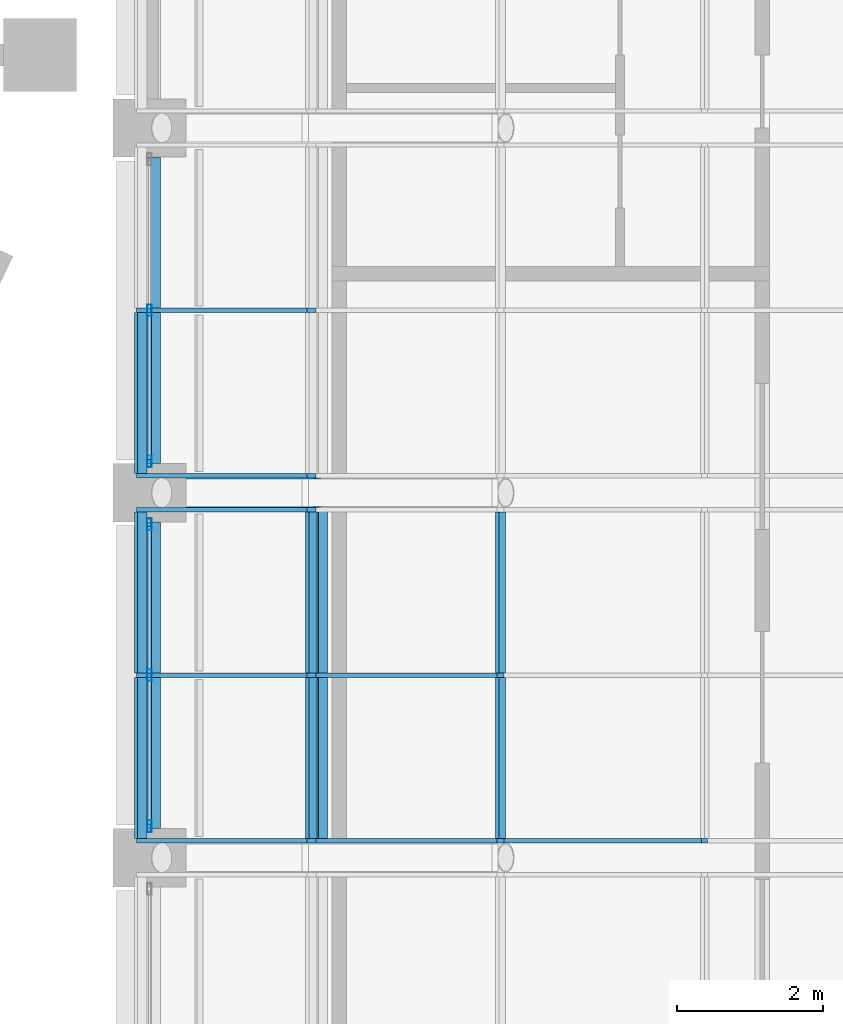
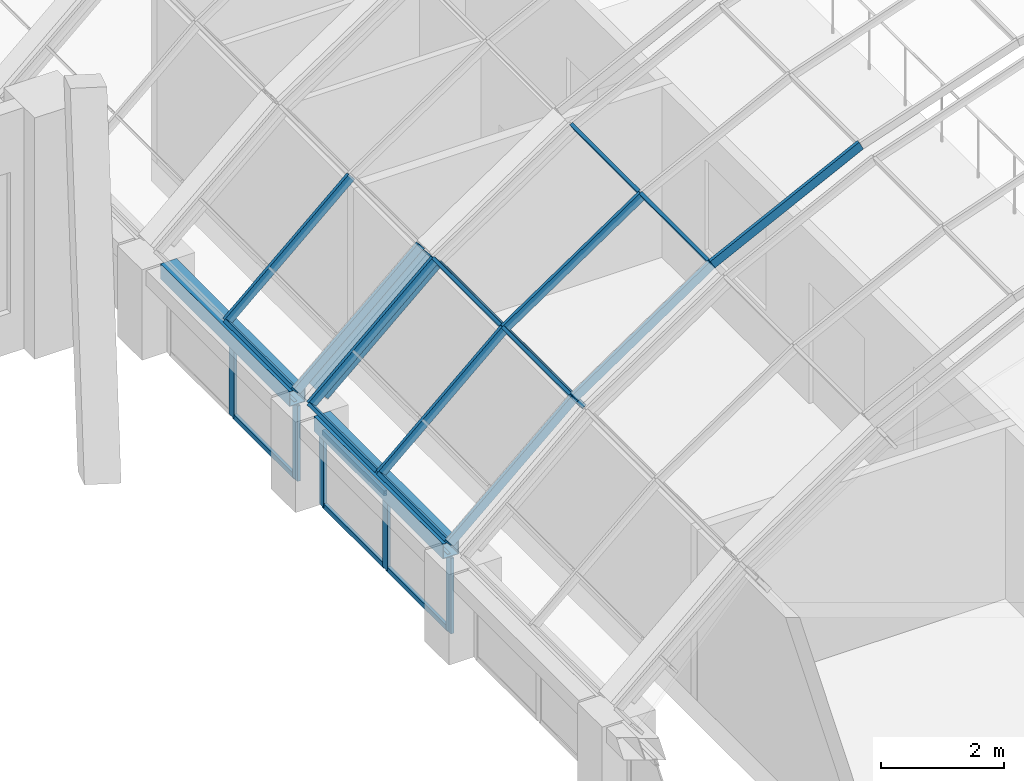
# One storey, part 48 of 182: 28 members, 2 beams, 4 elements without a shape of their own.
"""IFC4 building model written with IfcOpenShell, lengths in metres."""

import ifcopenshell
import ifcopenshell.guid

model = None  # the IFC model being written
_history = None  # IfcOwnerHistory: only IFC2X3 demands one
_inside = {}  # id of a spatial element -> (the spatial element, [elements in it])
_under = {}  # id of a project, library or spatial element -> (it, [spatial elements below it])
_declared = {}  # id of a project -> (the project, [libraries it declares])
_typed = {}  # id of a type object -> (the type object, [elements of that type])
_made_of = {}  # id of a material, layer set ... -> (it, [elements and type objects made of it])


def new_model(schema):
    """Start an empty IFC model of exactly this schema.

    Asked for "IFC4X3", IfcOpenShell would pick the latest addendum, in which some entities
    have other attributes; the version numbers below select the first issue.
    IFC2X3 requires an IfcOwnerHistory on every rooted entity: one is made here for all.
    """
    global model, _history
    if schema == "IFC4X3":
        model = ifcopenshell.file(schema_version=(4, 3, 0, 0))
    else:
        model = ifcopenshell.file(schema=schema)
    _inside.clear()
    _under.clear()
    _declared.clear()
    _typed.clear()
    _made_of.clear()
    _history = None
    if model.schema == "IFC2X3":
        org = make("IfcOrganization", Name="unknown")
        user = make(
            "IfcPersonAndOrganization",
            ThePerson=make("IfcPerson", FamilyName="unknown"),
            TheOrganization=org,
        )
        app = make(
            "IfcApplication",
            ApplicationDeveloper=org,
            Version="unknown",
            ApplicationFullName="unknown",
            ApplicationIdentifier="unknown",
        )
        _history = make(
            "IfcOwnerHistory",
            OwningUser=user,
            OwningApplication=app,
            ChangeAction="ADDED",
            CreationDate=0,
        )
    return model


def make(cls, **values):
    """One entity of the class cls with the attributes given. An attribute that is None is left unset."""
    return model.create_entity(
        cls, **{name: value for name, value in values.items() if value is not None}
    )


def rooted(cls, **values):
    """An entity with a GlobalId (a new one), such as an element, a storey or a relation."""
    return make(cls, GlobalId=ifcopenshell.guid.new(), OwnerHistory=_history, **values)


def si_unit(unit_type, name, prefix=None):
    """IfcSIUnit, for example si_unit("LENGTHUNIT", "METRE", prefix="MILLI")."""
    return make("IfcSIUnit", UnitType=unit_type, Prefix=prefix, Name=name)


def assignment(units):
    """IfcUnitAssignment: the units of a project."""
    return None if units is None else make("IfcUnitAssignment", Units=units)


def point(xyz):
    """IfcCartesianPoint."""
    return None if xyz is None else make("IfcCartesianPoint", Coordinates=xyz)


def direction(xyz):
    """IfcDirection."""
    return None if xyz is None else make("IfcDirection", DirectionRatios=xyz)


def frame(location, z_axis=None, x_axis=None):
    """IfcAxis2Placement3D, a coordinate frame: its origin and axes. An axis left out is left unset."""
    return make(
        "IfcAxis2Placement3D",
        Location=point(location),
        Axis=direction(z_axis),
        RefDirection=direction(x_axis),
    )


def frame_2d(location, x_axis=None):
    """IfcAxis2Placement2D, a coordinate frame in the plane: its origin and x axis."""
    return make(
        "IfcAxis2Placement2D", Location=point(location), RefDirection=direction(x_axis)
    )


def origin():
    """The frame at (0, 0, 0) with its axes left unset."""
    return frame((0.0, 0.0, 0.0))


def origin_2d():
    """The frame at (0, 0) in the plane with its x axis left unset."""
    return frame_2d((0.0, 0.0))


def place(relative_to, where):
    """IfcLocalPlacement: puts the frame where relative to a parent placement (None: the world)."""
    return make(
        "IfcLocalPlacement", PlacementRelTo=relative_to, RelativePlacement=where
    )


def context(
    kind, dimensions, precision=None, world=None, true_north=None, identifier=None
):
    """IfcGeometricRepresentationContext, for example the 3D "Model" context."""
    return make(
        "IfcGeometricRepresentationContext",
        ContextIdentifier=identifier,
        ContextType=kind,
        CoordinateSpaceDimension=dimensions,
        Precision=precision,
        WorldCoordinateSystem=world,
        TrueNorth=true_north,
    )


def subcontext(parent, identifier, kind, view, scale=None):
    """IfcGeometricRepresentationSubContext, for example "Body" below "Model"."""
    return make(
        "IfcGeometricRepresentationSubContext",
        ContextIdentifier=identifier,
        ContextType=kind,
        ParentContext=parent,
        TargetScale=scale,
        TargetView=view,
    )


def project(units=None, contexts=None):
    """IfcProject with its units and contexts."""
    return rooted(
        "IfcProject",
        Name="project",
        RepresentationContexts=contexts,
        UnitsInContext=assignment(units),
    )


def spatial(cls, under=None, at=None, **own):
    """A site, building, storey or space (cls), placed at a placement, below another one or the project."""
    s = rooted(cls, ObjectPlacement=at, **own)
    if under is not None:
        _under.setdefault(under.id(), (under, []))[1].append(s)
    return s


def profile(cls, at=None, kind="AREA", **sizes):
    """A parametric profile (cls). Its sizes go by their IFC names, for example OverallWidth=200.0."""
    return make(cls, ProfileType=kind, Position=at, **sizes)


def rectangle(**sizes):
    """IfcRectangleProfileDef."""
    return profile("IfcRectangleProfileDef", **sizes)


def hollow_rectangle(**sizes):
    """IfcRectangleHollowProfileDef."""
    return profile("IfcRectangleHollowProfileDef", **sizes)


def hollow_circle(**sizes):
    """IfcCircleHollowProfileDef."""
    return profile("IfcCircleHollowProfileDef", **sizes)


def extrude(swept, where, along, depth):
    """IfcExtrudedAreaSolid: the profile swept, set in the frame where, extruded along a direction by depth."""
    return make(
        "IfcExtrudedAreaSolid",
        SweptArea=swept,
        Position=where,
        ExtrudedDirection=direction(along),
        Depth=depth,
    )


def shape(context_of_items, identifier, shape_type, items):
    """IfcShapeRepresentation: the items that make up one representation, for example the "Body"."""
    return make(
        "IfcShapeRepresentation",
        ContextOfItems=context_of_items,
        RepresentationIdentifier=identifier,
        RepresentationType=shape_type,
        Items=items,
    )


def material(Name=None, Category=None):
    """IfcMaterial."""
    return make("IfcMaterial", Name=Name, Category=Category)


def material_profile(
    of_material, cross_section, Name=None, Category=None, Priority=None
):
    """IfcMaterialProfile: a cross section and its material."""
    return make(
        "IfcMaterialProfile",
        Name=Name,
        Material=of_material,
        Profile=cross_section,
        Priority=Priority,
        Category=Category,
    )


def profile_set(profiles, Name=None, composite=None):
    """IfcMaterialProfileSet."""
    return make(
        "IfcMaterialProfileSet",
        Name=Name,
        MaterialProfiles=profiles,
        CompositeProfile=composite,
    )


def made_of(thing, what):
    """Note that an element or type object is made of a material, layer set ...; save() writes the relation."""
    if what is not None:
        _made_of.setdefault(what.id(), (what, []))[1].append(thing)
    return thing


def type_object(cls, material=None, **own):
    """A type object (cls), such as IfcWallType, which elements share."""
    return made_of(rooted(cls, **own), material)


def element(
    cls,
    number,
    at=None,
    inside=None,
    cuts=None,
    type_object=None,
    material=None,
    context=None,
    identifier="Body",
    shape_type=None,
    held_by="IfcProductDefinitionShape",
    body=None,
    shapes=None,
    **own,
):
    """One element of the class cls, such as IfcWall. Its Tag is "e" and its number.

    at: its placement. inside: the storey or other place that contains it. cuts: it is an
    opening in that element (IfcRelVoidsElement). A single representation is given by context,
    identifier, shape_type and body (its items); several are given by shapes. held_by: the class
    of the entity that holds the representations. save() writes the other relations.
    """
    e = rooted(cls, Tag="e%d" % number, ObjectPlacement=at, **own)
    if body is not None:
        shapes = [shape(context, identifier, shape_type, body)]
    if shapes is not None:
        e.Representation = make(held_by, Representations=shapes)
    if inside is not None:
        _inside.setdefault(inside.id(), (inside, []))[1].append(e)
    if cuts is not None:
        rooted(
            "IfcRelVoidsElement", RelatingBuildingElement=cuts, RelatedOpeningElement=e
        )
    if type_object is not None:
        _typed.setdefault(type_object.id(), (type_object, []))[1].append(e)
    return made_of(e, material)


def aggregate(whole, parts):
    """IfcRelAggregates: a whole, such as a stair, and the parts it consists of."""
    return rooted("IfcRelAggregates", RelatingObject=whole, RelatedObjects=parts)


def save(model, path):
    """Write the relations noted so far, then the file.

    IfcRelAggregates (storeys below a building ...), IfcRelContainedInSpatialStructure (elements
    in a storey), IfcRelDefinesByType, IfcRelAssociatesMaterial and IfcRelDeclares: one each for
    every whole, place, type object, material and project.
    """
    for whole, parts in _under.values():
        aggregate(whole, parts)
    for where, things in _inside.values():
        rooted(
            "IfcRelContainedInSpatialStructure",
            RelatedElements=things,
            RelatingStructure=where,
        )
    for kind, things in _typed.values():
        rooted("IfcRelDefinesByType", RelatedObjects=things, RelatingType=kind)
    for what, things in _made_of.values():
        rooted("IfcRelAssociatesMaterial", RelatedObjects=things, RelatingMaterial=what)
    for by, libraries in _declared.values():
        rooted("IfcRelDeclares", RelatingContext=by, RelatedDefinitions=libraries)
    model.write(path)


model = new_model("IFC4")

# Units and contexts
model_context = context("Model", 3, precision=1e-05, world=origin(), true_north=direction((0.0, 1.0)))
body_context = subcontext(model_context, "Body", "Model", "MODEL_VIEW")
ifc_project = project(units=[si_unit("LENGTHUNIT", "METRE"), si_unit("AREAUNIT", "SQUARE_METRE"), si_unit("VOLUMEUNIT", "CUBIC_METRE"), si_unit("PLANEANGLEUNIT", "RADIAN"), si_unit("MASSUNIT", "GRAM", prefix="KILO")], contexts=[model_context])

# Site, building, storey
site_placement = place(None, origin())
site = spatial("IfcSite", under=ifc_project, at=site_placement, CompositionType="ELEMENT")
building_placement = place(site_placement, origin())
building = spatial("IfcBuilding", under=site, at=building_placement, Name="Okhra Congress Centre", CompositionType="ELEMENT")
storey_placement = place(building_placement, frame((0.0, 0.0, 7.199951171875)))
storey = spatial("IfcBuildingStorey", under=building, at=storey_placement, Name="L01", CompositionType="ELEMENT", Elevation=7.199951171875)

# Curtain wall, members
ifc_material_1 = material(Name="Aluminium frame with triple glazing", Category="aluminium")
curtain_wall_type_1 = type_object("IfcCurtainWallType", Name="Glazed vault bay curtain wall", PredefinedType="NOTDEFINED", material=ifc_material_1)
curtain_wall_1_placement = place(storey_placement, origin())
curtain_wall_1 = element("IfcCurtainWall", 1, at=curtain_wall_1_placement, inside=storey, type_object=curtain_wall_type_1, Name="Vault glazing bay 10", PredefinedType="NOTDEFINED")
ifc_material_2 = material(Name="Aluminium alloy 6063", Category="aluminium")
ifc_material_profile_1 = material_profile(ifc_material_2, rectangle(XDim=0.06005859375, YDim=0.179931640625, at=origin_2d()), Name="AL 60x180")
ifc_profile_set_1 = profile_set([ifc_material_profile_1], Name="Aluminium alloy 6063")
member_type_1 = type_object("IfcMemberType", Name="Aluminium mullion 60x180", PredefinedType="MULLION", material=ifc_profile_set_1)
member_1_placement = place(storey_placement, frame((155.382568359375, 121.233154296875, 1.916015625), z_axis=(0.748025229923, 0.0, 0.663670291183), x_axis=(0.0, 1.0, 0.0)))
member_1 = element("IfcMember", 2, at=member_1_placement, type_object=member_type_1, Name="Vault mullion 10.1.1", PredefinedType="MULLION", context=body_context, shape_type="SweptSolid", body=[
    extrude(rectangle(XDim=0.06005859375, YDim=0.179931640625, at=origin_2d()), origin(), (0.0, 0.0, 1.0), 3.125732421875),
])
member_2_placement = place(storey_placement, frame((157.720703125, 121.233154296875, 3.990478515625), z_axis=(0.828827846338, 0.0, 0.559503709671), x_axis=(0.0, 1.0, 0.0)))
member_2 = element("IfcMember", 3, at=member_2_placement, type_object=member_type_1, Name="Vault mullion 10.1.2", PredefinedType="MULLION", context=body_context, shape_type="SweptSolid", body=[
    extrude(rectangle(XDim=0.06005859375, YDim=0.179931640625, at=origin_2d()), origin(), (0.0, 0.0, 1.0), 3.12548828125),
])
member_3_placement = place(storey_placement, frame((160.311279296875, 121.233154296875, 5.7392578125), z_axis=(0.895253656313, 0.0, 0.445556832354), x_axis=(0.0, 1.0, 0.0)))
member_3 = element("IfcMember", 4, at=member_3_placement, type_object=member_type_1, Name="Vault mullion 10.1.3", PredefinedType="MULLION", context=body_context, shape_type="SweptSolid", body=[
    extrude(rectangle(XDim=0.06005859375, YDim=0.179931640625, at=origin_2d()), origin(), (0.0, 0.0, 1.0), 3.12548828125),
])
member_4_placement = place(storey_placement, frame((155.382568359375, 123.5, 1.916015625), z_axis=(0.748025229923, 0.0, 0.663670291183), x_axis=(0.0, 1.0, 0.0)))
member_4 = element("IfcMember", 5, at=member_4_placement, type_object=member_type_1, Name="Vault mullion 10.2.1", PredefinedType="MULLION", context=body_context, shape_type="SweptSolid", body=[
    extrude(rectangle(XDim=0.06005859375, YDim=0.179931640625, at=origin_2d()), origin(), (0.0, 0.0, 1.0), 3.125732421875),
])
member_5_placement = place(storey_placement, frame((157.720703125, 123.5, 3.990478515625), z_axis=(0.828827846338, 0.0, 0.559503709671), x_axis=(0.0, 1.0, 0.0)))
member_5 = element("IfcMember", 6, at=member_5_placement, type_object=member_type_1, Name="Vault mullion 10.2.2", PredefinedType="MULLION", context=body_context, shape_type="SweptSolid", body=[
    extrude(rectangle(XDim=0.06005859375, YDim=0.179931640625, at=origin_2d()), origin(), (0.0, 0.0, 1.0), 3.12548828125),
])
member_6_placement = place(storey_placement, frame((155.382568359375, 125.766845703125, 1.916015625), z_axis=(0.748025229923, 0.0, 0.663670291183), x_axis=(0.0, 1.0, 0.0)))
member_6 = element("IfcMember", 7, at=member_6_placement, type_object=member_type_1, Name="Vault mullion 10.3.1", PredefinedType="MULLION", context=body_context, shape_type="SweptSolid", body=[
    extrude(rectangle(XDim=0.06005859375, YDim=0.179931640625, at=origin_2d()), origin(), (0.0, 0.0, 1.0), 3.125732421875),
])

curtain_wall_2_placement = place(storey_placement, origin())
curtain_wall_2 = element("IfcCurtainWall", 8, at=curtain_wall_2_placement, inside=storey, type_object=curtain_wall_type_1, Name="Vault glazing bay 11", PredefinedType="NOTDEFINED")
member_7_placement = place(storey_placement, frame((155.382568359375, 126.233154296875, 1.916015625), z_axis=(0.748025229923, 0.0, 0.663670291183), x_axis=(0.0, 1.0, 0.0)))
member_7 = element("IfcMember", 9, at=member_7_placement, type_object=member_type_1, Name="Vault mullion 11.1.1", PredefinedType="MULLION", context=body_context, shape_type="SweptSolid", body=[
    extrude(rectangle(XDim=0.06005859375, YDim=0.179931640625, at=origin_2d()), origin(), (0.0, 0.0, 1.0), 3.125732421875),
])
member_8_placement = place(storey_placement, frame((155.382568359375, 128.5, 1.916015625), z_axis=(0.748025229923, 0.0, 0.663670291183), x_axis=(0.0, 1.0, 0.0)))
member_8 = element("IfcMember", 10, at=member_8_placement, type_object=member_type_1, Name="Vault mullion 11.2.1", PredefinedType="MULLION", context=body_context, shape_type="SweptSolid", body=[
    extrude(rectangle(XDim=0.06005859375, YDim=0.179931640625, at=origin_2d()), origin(), (0.0, 0.0, 1.0), 3.125732421875),
])

# Member
ifc_material_profile_2 = material_profile(ifc_material_2, rectangle(XDim=0.06005859375, YDim=0.179931640625, at=origin_2d()), Name="AL 60x180 transom")
ifc_profile_set_2 = profile_set([ifc_material_profile_2], Name="Aluminium alloy 6063")
member_type_2 = type_object("IfcMemberType", Name="Aluminium transom 60x180", PredefinedType="USERDEFINED", material=ifc_profile_set_2)
member_9_placement = place(storey_placement, frame((155.382568359375, 121.26318359375, 1.916015625), z_axis=(0.0, 1.0, 0.0), x_axis=(-0.702636070549, 0.0, -0.711549402616)))
member_9 = element("IfcMember", 11, at=member_9_placement, type_object=member_type_2, Name="Vault transom 10.1.1", ObjectType="TRANSOM", PredefinedType="USERDEFINED", context=body_context, shape_type="SweptSolid", body=[
    extrude(rectangle(XDim=0.06005859375, YDim=0.179931640625, at=origin_2d()), origin(), (0.0, 0.0, 1.0), 2.206787109375),
])

member_10_placement = place(storey_placement, frame((157.720703125, 121.26318359375, 3.990478515625), z_axis=(0.0, 1.0, 0.0), x_axis=(-0.790145035185, 0.0, -0.612919915954)))
member_10 = element("IfcMember", 12, at=member_10_placement, type_object=member_type_2, Name="Vault transom 10.1.2", ObjectType="TRANSOM", PredefinedType="USERDEFINED", context=body_context, shape_type="SweptSolid", body=[
    extrude(rectangle(XDim=0.06005859375, YDim=0.179931640625, at=origin_2d()), origin(), (0.0, 0.0, 1.0), 2.206787109375),
])

member_11_placement = place(storey_placement, frame((160.311279296875, 121.26318359375, 5.7392578125), z_axis=(0.0, 1.0, 0.0), x_axis=(-0.86391685861, 0.0, -0.503634452167)))
member_11 = element("IfcMember", 13, at=member_11_placement, type_object=member_type_2, Name="Vault transom 10.1.3", ObjectType="TRANSOM", PredefinedType="USERDEFINED", context=body_context, shape_type="SweptSolid", body=[
    extrude(rectangle(XDim=0.06005859375, YDim=0.179931640625, at=origin_2d()), origin(), (0.0, 0.0, 1.0), 2.206787109375),
])

member_12_placement = place(storey_placement, frame((155.382568359375, 123.530029296875, 1.916015625), z_axis=(0.0, 1.0, 0.0), x_axis=(-0.702636070549, 0.0, -0.711549402616)))
member_12 = element("IfcMember", 14, at=member_12_placement, type_object=member_type_2, Name="Vault transom 10.2.1", ObjectType="TRANSOM", PredefinedType="USERDEFINED", context=body_context, shape_type="SweptSolid", body=[
    extrude(rectangle(XDim=0.06005859375, YDim=0.179931640625, at=origin_2d()), origin(), (0.0, 0.0, 1.0), 2.206787109375),
])

member_13_placement = place(storey_placement, frame((157.720703125, 123.530029296875, 3.990478515625), z_axis=(0.0, 1.0, 0.0), x_axis=(-0.790145035185, 0.0, -0.612919915954)))
member_13 = element("IfcMember", 15, at=member_13_placement, type_object=member_type_2, Name="Vault transom 10.2.2", ObjectType="TRANSOM", PredefinedType="USERDEFINED", context=body_context, shape_type="SweptSolid", body=[
    extrude(rectangle(XDim=0.06005859375, YDim=0.179931640625, at=origin_2d()), origin(), (0.0, 0.0, 1.0), 2.206787109375),
])

member_14_placement = place(storey_placement, frame((160.311279296875, 123.530029296875, 5.7392578125), z_axis=(0.0, 1.0, 0.0), x_axis=(-0.86391685861, 0.0, -0.503634452167)))
member_14 = element("IfcMember", 16, at=member_14_placement, type_object=member_type_2, Name="Vault transom 10.2.3", ObjectType="TRANSOM", PredefinedType="USERDEFINED", context=body_context, shape_type="SweptSolid", body=[
    extrude(rectangle(XDim=0.06005859375, YDim=0.179931640625, at=origin_2d()), origin(), (0.0, 0.0, 1.0), 2.206787109375),
])

aggregate(curtain_wall_1, [member_1, member_2, member_3, member_4, member_5, member_6, member_9, member_10, member_11, member_12, member_13, member_14])

member_15_placement = place(storey_placement, frame((155.382568359375, 126.26318359375, 1.916015625), z_axis=(0.0, 1.0, 0.0), x_axis=(-0.702636070549, 0.0, -0.711549402616)))
member_15 = element("IfcMember", 17, at=member_15_placement, type_object=member_type_2, Name="Vault transom 11.1.1", ObjectType="TRANSOM", PredefinedType="USERDEFINED", context=body_context, shape_type="SweptSolid", body=[
    extrude(rectangle(XDim=0.06005859375, YDim=0.179931640625, at=origin_2d()), origin(), (0.0, 0.0, 1.0), 2.206787109375),
])

aggregate(curtain_wall_2, [member_7, member_8, member_15])

# Curtain wall, members
ifc_material_3 = material(Name="Aluminium curtain wall, triple glazing", Category="aluminium")
curtain_wall_type_2 = type_object("IfcCurtainWallType", Name="Curtain wall 2100 module", PredefinedType="NOTDEFINED", material=ifc_material_3)
curtain_wall_3_placement = place(storey_placement, origin())
curtain_wall_3 = element("IfcCurtainWall", 18, at=curtain_wall_3_placement, inside=storey, type_object=curtain_wall_type_2, Name="West bay 10 clerestory glazing", PredefinedType="NOTDEFINED")
ifc_material_4 = material(Name="Aluminium alloy EN AW-6063 T66", Category="aluminium")
ifc_material_profile_3 = material_profile(ifc_material_4, hollow_rectangle(XDim=0.06005859375, YDim=0.159912109375, WallThickness=0.00390625, at=origin_2d()), Name="RHS 60x160x4")
ifc_profile_set_3 = profile_set([ifc_material_profile_3], Name="Aluminium alloy EN AW-6063 T66")
member_type_3 = type_object("IfcMemberType", Name="Curtain wall mullion 60x160", PredefinedType="MULLION", material=ifc_profile_set_3)
member_16_placement = place(storey_placement, frame((155.5, 121.429931640625, 0.0), z_axis=(0.0, 0.0, 1.0), x_axis=(-1.0, 0.0, 0.0)))
member_16 = element("IfcMember", 19, at=member_16_placement, type_object=member_type_3, Name="CW4 mullion 1", PredefinedType="MULLION", context=body_context, shape_type="SweptSolid", body=[
    extrude(hollow_rectangle(XDim=0.06005859375, YDim=0.159912109375, WallThickness=0.00390625, at=origin_2d()), origin(), (0.0, 0.0, 1.0), 1.5),
])
member_17_placement = place(storey_placement, frame((155.5, 123.5, 0.0), z_axis=(0.0, 0.0, 1.0), x_axis=(-1.0, 0.0, 0.0)))
member_17 = element("IfcMember", 20, at=member_17_placement, type_object=member_type_3, Name="CW4 mullion 2", PredefinedType="MULLION", context=body_context, shape_type="SweptSolid", body=[
    extrude(hollow_rectangle(XDim=0.06005859375, YDim=0.159912109375, WallThickness=0.00390625, at=origin_2d()), origin(), (0.0, 0.0, 1.0), 1.5),
])
member_18_placement = place(storey_placement, frame((155.5, 125.570068359375, 0.0), z_axis=(0.0, 0.0, 1.0), x_axis=(-1.0, 0.0, 0.0)))
member_18 = element("IfcMember", 21, at=member_18_placement, type_object=member_type_3, Name="CW4 mullion 3", PredefinedType="MULLION", context=body_context, shape_type="SweptSolid", body=[
    extrude(hollow_rectangle(XDim=0.06005859375, YDim=0.159912109375, WallThickness=0.00390625, at=origin_2d()), origin(), (0.0, 0.0, 1.0), 1.5),
])

curtain_wall_4_placement = place(storey_placement, origin())
curtain_wall_4 = element("IfcCurtainWall", 22, at=curtain_wall_4_placement, inside=storey, type_object=curtain_wall_type_2, Name="West bay 11 clerestory glazing", PredefinedType="NOTDEFINED")
member_19_placement = place(storey_placement, frame((155.5, 126.429931640625, 0.0), z_axis=(0.0, 0.0, 1.0), x_axis=(-1.0, 0.0, 0.0)))
member_19 = element("IfcMember", 23, at=member_19_placement, type_object=member_type_3, Name="CW4 mullion 1", PredefinedType="MULLION", context=body_context, shape_type="SweptSolid", body=[
    extrude(hollow_rectangle(XDim=0.06005859375, YDim=0.159912109375, WallThickness=0.00390625, at=origin_2d()), origin(), (0.0, 0.0, 1.0), 1.5),
])
member_20_placement = place(storey_placement, frame((155.5, 128.5, 0.0), z_axis=(0.0, 0.0, 1.0), x_axis=(-1.0, 0.0, 0.0)))
member_20 = element("IfcMember", 24, at=member_20_placement, type_object=member_type_3, Name="CW4 mullion 2", PredefinedType="MULLION", context=body_context, shape_type="SweptSolid", body=[
    extrude(hollow_rectangle(XDim=0.06005859375, YDim=0.159912109375, WallThickness=0.00390625, at=origin_2d()), origin(), (0.0, 0.0, 1.0), 1.5),
])

# Member
ifc_material_profile_4 = material_profile(ifc_material_4, hollow_rectangle(XDim=0.06005859375, YDim=0.10009765625, WallThickness=0.00390625, at=origin_2d()), Name="RHS 60x100x4")
ifc_profile_set_4 = profile_set([ifc_material_profile_4], Name="Aluminium alloy EN AW-6063 T66")
member_type_4 = type_object("IfcMemberType", Name="Curtain wall transom 60x100", PredefinedType="USERDEFINED", material=ifc_profile_set_4)
member_21_placement = place(storey_placement, frame((155.5, 121.4599609375, 0.030029296875), z_axis=(0.0, 1.0, 0.0), x_axis=(-1.0, 0.0, 0.0)))
member_21 = element("IfcMember", 25, at=member_21_placement, type_object=member_type_4, Name="CW4 transom 1.1", ObjectType="TRANSOM", PredefinedType="USERDEFINED", context=body_context, shape_type="SweptSolid", body=[
    extrude(hollow_rectangle(XDim=0.06005859375, YDim=0.10009765625, WallThickness=0.00390625, at=origin_2d()), origin(), (0.0, 0.0, 1.0), 2.010009765625),
])

member_22_placement = place(storey_placement, frame((155.5, 121.4599609375, 1.469970703125), z_axis=(0.0, 1.0, 0.0), x_axis=(-1.0, 0.0, 0.0)))
member_22 = element("IfcMember", 26, at=member_22_placement, type_object=member_type_4, Name="CW4 transom 1.2", ObjectType="TRANSOM", PredefinedType="USERDEFINED", context=body_context, shape_type="SweptSolid", body=[
    extrude(hollow_rectangle(XDim=0.06005859375, YDim=0.10009765625, WallThickness=0.00390625, at=origin_2d()), origin(), (0.0, 0.0, 1.0), 2.010009765625),
])

member_23_placement = place(storey_placement, frame((155.5, 123.530029296875, 0.030029296875), z_axis=(0.0, 1.0, 0.0), x_axis=(-1.0, 0.0, 0.0)))
member_23 = element("IfcMember", 27, at=member_23_placement, type_object=member_type_4, Name="CW4 transom 2.1", ObjectType="TRANSOM", PredefinedType="USERDEFINED", context=body_context, shape_type="SweptSolid", body=[
    extrude(hollow_rectangle(XDim=0.06005859375, YDim=0.10009765625, WallThickness=0.00390625, at=origin_2d()), origin(), (0.0, 0.0, 1.0), 2.010009765625),
])

member_24_placement = place(storey_placement, frame((155.5, 123.530029296875, 1.469970703125), z_axis=(0.0, 1.0, 0.0), x_axis=(-1.0, 0.0, 0.0)))
member_24 = element("IfcMember", 28, at=member_24_placement, type_object=member_type_4, Name="CW4 transom 2.2", ObjectType="TRANSOM", PredefinedType="USERDEFINED", context=body_context, shape_type="SweptSolid", body=[
    extrude(hollow_rectangle(XDim=0.06005859375, YDim=0.10009765625, WallThickness=0.00390625, at=origin_2d()), origin(), (0.0, 0.0, 1.0), 2.010009765625),
])

aggregate(curtain_wall_3, [member_16, member_17, member_18, member_21, member_22, member_23, member_24])

member_25_placement = place(storey_placement, frame((155.5, 126.4599609375, 0.030029296875), z_axis=(0.0, 1.0, 0.0), x_axis=(-1.0, 0.0, 0.0)))
member_25 = element("IfcMember", 29, at=member_25_placement, type_object=member_type_4, Name="CW4 transom 1.1", ObjectType="TRANSOM", PredefinedType="USERDEFINED", context=body_context, shape_type="SweptSolid", body=[
    extrude(hollow_rectangle(XDim=0.06005859375, YDim=0.10009765625, WallThickness=0.00390625, at=origin_2d()), origin(), (0.0, 0.0, 1.0), 2.010009765625),
])

member_26_placement = place(storey_placement, frame((155.5, 126.4599609375, 1.469970703125), z_axis=(0.0, 1.0, 0.0), x_axis=(-1.0, 0.0, 0.0)))
member_26 = element("IfcMember", 30, at=member_26_placement, type_object=member_type_4, Name="CW4 transom 1.2", ObjectType="TRANSOM", PredefinedType="USERDEFINED", context=body_context, shape_type="SweptSolid", body=[
    extrude(hollow_rectangle(XDim=0.06005859375, YDim=0.10009765625, WallThickness=0.00390625, at=origin_2d()), origin(), (0.0, 0.0, 1.0), 2.010009765625),
])

aggregate(curtain_wall_4, [member_19, member_20, member_25, member_26])

# Beams
ifc_material_5 = material(Name="Steel S355J2", Category="steel")
ifc_material_profile_5 = material_profile(ifc_material_5, hollow_rectangle(XDim=0.300048828125, YDim=0.300048828125, WallThickness=0.012451171875, at=origin_2d()), Name="RHS 300x300x12.5")
ifc_profile_set_5 = profile_set([ifc_material_profile_5], Name="Steel S355J2")
beam_type = type_object("IfcBeamType", Name="Steel eaves beam RHS 300x300x12.5", PredefinedType="BEAM", material=ifc_profile_set_5)
for number, where, z_axis, x_axis, name in (
    (31, (155.5, 121.39990234375, 1.650146484375), (0.0, 1.0, 0.0), (-1.0, 0.0, 0.0), "Eaves beam W10"),
    (32, (155.5, 126.39990234375, 1.650146484375), (0.0, 1.0, 0.0), (-1.0, 0.0, 0.0), "Eaves beam W11"),
):
    element("IfcBeam", number, at=place(storey_placement, frame(where, z_axis=z_axis, x_axis=x_axis)), inside=storey, type_object=beam_type, Name=name, PredefinedType="BEAM", context=body_context, shape_type="SweptSolid", body=[
        extrude(hollow_rectangle(XDim=0.300048828125, YDim=0.300048828125, WallThickness=0.012451171875, at=origin_2d()), origin(), (0.0, 0.0, 1.0), 4.2001953125),
    ])

# Members
ifc_material_profile_6 = material_profile(ifc_material_5, hollow_rectangle(XDim=0.10009765625, YDim=0.199951171875, WallThickness=0.008056640625, at=origin_2d()), Name="RHS 200x100x8")
ifc_profile_set_6 = profile_set([ifc_material_profile_6], Name="Steel S355J2")
member_type_5 = type_object("IfcMemberType", Name="Steel purlin RHS 200x100x8", PredefinedType="PURLIN", material=ifc_profile_set_6)
member_27_placement = place(storey_placement, frame((157.837158203125, 121.203125, 3.84033203125), z_axis=(0.0, 1.0, 0.0), x_axis=(-0.790145035185, 0.0, -0.612919915954)))
element("IfcMember", 33, at=member_27_placement, inside=storey, type_object=member_type_5, Name="Vault purlin 10.1", PredefinedType="PURLIN", context=body_context, shape_type="SweptSolid", body=[
    extrude(hollow_rectangle(XDim=0.10009765625, YDim=0.199951171875, WallThickness=0.008056640625, at=origin_2d()), origin(), (0.0, 0.0, 1.0), 4.59375),
])
ifc_material_profile_7 = material_profile(ifc_material_5, hollow_circle(Radius=0.203125, WallThickness=0.01611328125, at=origin_2d()), Name="CHS 406.4x16")
ifc_profile_set_7 = profile_set([ifc_material_profile_7], Name="Steel S355J2")
member_type_6 = type_object("IfcMemberType", Name="Tubular steel arch rib CHS 406x16", PredefinedType="USERDEFINED", material=ifc_profile_set_7)
member_28_placement = place(storey_placement, frame((155.67138671875, 126.0, 1.9521484375), z_axis=(0.74800221093, 0.0, 0.663696235069), x_axis=(0.0, 1.0, 0.0)))
element("IfcMember", 34, at=member_28_placement, inside=storey, type_object=member_type_6, Name="Arch rib 11.1", ObjectType="Arch rib", PredefinedType="USERDEFINED", context=body_context, shape_type="SweptSolid", body=[
    extrude(hollow_circle(Radius=0.203125, WallThickness=0.01611328125, at=origin_2d()), origin(), (0.0, 0.0, 1.0), 2.861083984375),
])

save(model, "model.ifc")
